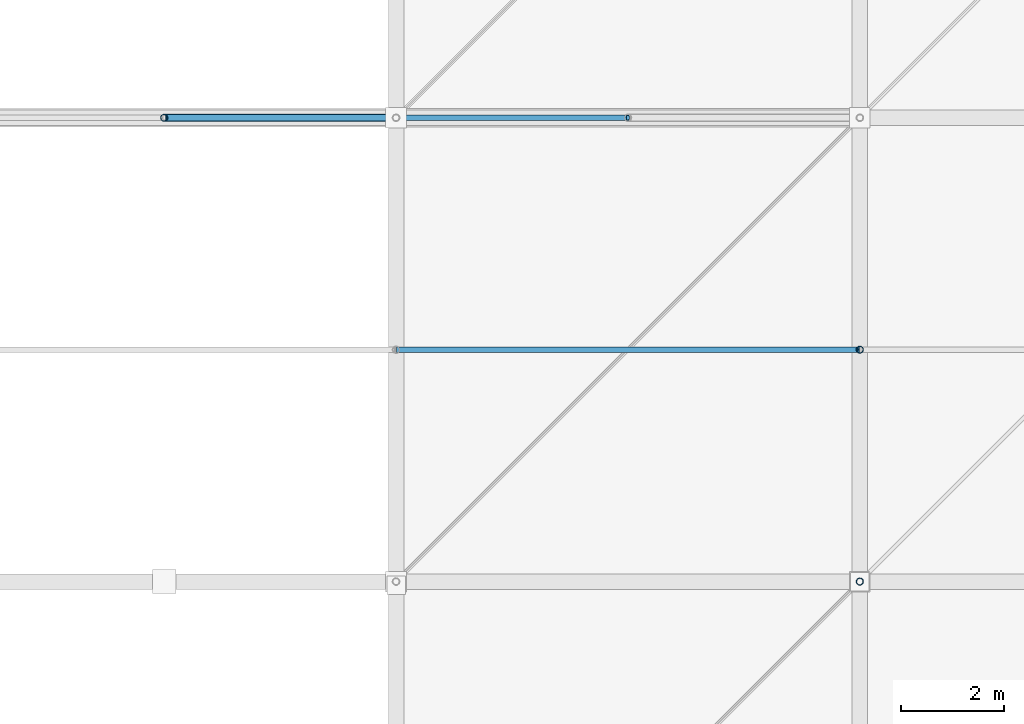
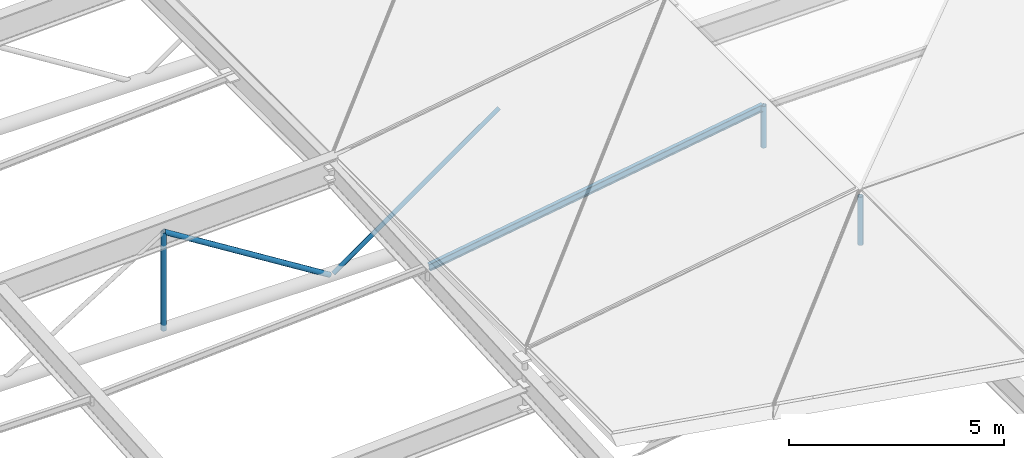
# One storey, part 23 of 80: 6 members.
"""IFC4 building model written with IfcOpenShell, lengths in metres."""

from ifc_helpers import new_model, si_unit, direction, frame, origin, origin_2d, place, context, subcontext, project, spatial, hollow_circle, i_section, extrude, material, material_profile, profile_set, type_object, element, save


model = new_model("IFC4")

# Units and contexts
model_context = context("Model", 3, precision=1e-05, world=origin(), true_north=direction((0.0, 1.0)))
body_context = subcontext(model_context, "Body", "Model", "MODEL_VIEW")
ifc_project = project(units=[si_unit("LENGTHUNIT", "METRE"), si_unit("AREAUNIT", "SQUARE_METRE"), si_unit("VOLUMEUNIT", "CUBIC_METRE"), si_unit("PLANEANGLEUNIT", "RADIAN"), si_unit("MASSUNIT", "GRAM", prefix="KILO")], contexts=[model_context])

# Site, building, storey
site_placement = place(None, origin())
site = spatial("IfcSite", under=ifc_project, at=site_placement, CompositionType="ELEMENT")
building_placement = place(site_placement, origin())
building = spatial("IfcBuilding", under=site, at=building_placement, Name="Barlavento Convention Centre", CompositionType="ELEMENT")
storey_placement = place(building_placement, frame((0.0, 0.0, 29.800048828125)))
storey = spatial("IfcBuildingStorey", under=building, at=storey_placement, Name="RF", CompositionType="ELEMENT", Elevation=29.800048828125)

# Members
ifc_material = material(Name="Steel S355", Category="steel")
ifc_material_profile_1 = material_profile(ifc_material, hollow_circle(Radius=0.05712890625, WallThickness=0.00634765625, at=origin_2d()), Name="CHS 114.3x6.3")
ifc_profile_set_1 = profile_set([ifc_material_profile_1], Name="Steel S355")
member_type_1 = type_object("IfcMemberType", Name="STR-MEM-DIAG-CHS114", PredefinedType="BRACE", material=ifc_profile_set_1)
member_1_placement = place(storey_placement, frame((45.050048828125, 18.0, -3.15625), z_axis=(0.817413803331, 0.0, 0.576050930147), x_axis=(0.0, 1.0, 0.0)))
element("IfcMember", 1, at=member_1_placement, inside=storey, type_object=member_type_1, Name="Plenary hall roof truss web member", PredefinedType="BRACE", context=body_context, shape_type="SweptSolid", body=[
    extrude(hollow_circle(Radius=0.05712890625, WallThickness=0.00634765625, at=origin_2d()), origin(), (0.0, 0.0, 1.0), 5.44384765625),
])
ifc_material_profile_2 = material_profile(ifc_material, hollow_circle(Radius=0.06982421875, WallThickness=0.008056640625, at=origin_2d()), Name="CHS 139.7x8.0")
ifc_profile_set_2 = profile_set([ifc_material_profile_2], Name="Steel S355")
member_type_2 = type_object("IfcMemberType", Name="STR-MEM-DIAG-CHS139", PredefinedType="BRACE", material=ifc_profile_set_2)
member_2_placement = place(storey_placement, frame((40.5, 18.0, -3.15625), z_axis=(0.0, 0.0, 1.0), x_axis=(1.0, 0.0, 0.0)))
element("IfcMember", 2, at=member_2_placement, inside=storey, type_object=member_type_2, Name="Plenary hall roof truss web member", PredefinedType="BRACE", context=body_context, shape_type="SweptSolid", body=[
    extrude(hollow_circle(Radius=0.06982421875, WallThickness=0.008056640625, at=origin_2d()), origin(), (0.0, 0.0, 1.0), 2.78271484375),
])
member_3_placement = place(storey_placement, frame((40.5, 18.0, -0.37353515625), z_axis=(0.847870226103, 0.0, -0.530203809575), x_axis=(0.0, 1.0, 0.0)))
element("IfcMember", 3, at=member_3_placement, inside=storey, type_object=member_type_2, Name="Plenary hall roof truss web member", PredefinedType="BRACE", context=body_context, shape_type="SweptSolid", body=[
    extrude(hollow_circle(Radius=0.06982421875, WallThickness=0.008056640625, at=origin_2d()), origin(), (0.0, 0.0, 1.0), 5.248291015625),
])
member_4_placement = place(storey_placement, frame((54.0, 9.0, 0.00634765625), z_axis=(0.0, 0.0, 1.0), x_axis=(1.0, 0.0, 0.0)))
element("IfcMember", 4, at=member_4_placement, inside=storey, type_object=member_type_2, Name="Congress space frame vertical node post TD04", PredefinedType="BRACE", context=body_context, shape_type="SweptSolid", body=[
    extrude(hollow_circle(Radius=0.06982421875, WallThickness=0.008056640625, at=origin_2d()), origin(), (0.0, 0.0, 1.0), 1.369873046875),
])
member_5_placement = place(storey_placement, frame((54.0, 13.5, 0.0361328125), z_axis=(0.0, 0.0, 1.0), x_axis=(1.0, 0.0, 0.0)))
element("IfcMember", 5, at=member_5_placement, inside=storey, type_object=member_type_2, Name="Congress space frame vertical node post TD04", PredefinedType="BRACE", context=body_context, shape_type="SweptSolid", body=[
    extrude(hollow_circle(Radius=0.06982421875, WallThickness=0.008056640625, at=origin_2d()), origin(), (0.0, 0.0, 1.0), 1.18310546875),
])
ifc_material_profile_3 = material_profile(ifc_material, i_section(OverallWidth=0.10009765625, OverallDepth=0.199951171875, WebThickness=0.005615234375, FlangeThickness=0.008544921875, FilletRadius=0.011962890625, at=origin_2d()), Name="IPE 200")
ifc_profile_set_3 = profile_set([ifc_material_profile_3], Name="Steel S355")
member_type_3 = type_object("IfcMemberType", Name="STR-MEM-PUR-IPE200", PredefinedType="PURLIN", material=ifc_profile_set_3)
member_6_placement = place(storey_placement, frame((45.02001953125, 13.5, -0.2314453125), z_axis=(0.987832268227, 0.0, 0.155523020322), x_axis=(0.0, 1.0, 0.0)))
element("IfcMember", 6, at=member_6_placement, inside=storey, type_object=member_type_3, Name="Congress roof intermediate purlin PR01", PredefinedType="PURLIN", context=body_context, shape_type="SweptSolid", body=[
    extrude(i_section(OverallWidth=0.10009765625, OverallDepth=0.199951171875, WebThickness=0.005615234375, FlangeThickness=0.008544921875, FilletRadius=0.011962890625, at=origin_2d()), origin(), (0.0, 0.0, 1.0), 9.0703125),
])

save(model, "model.ifc")
